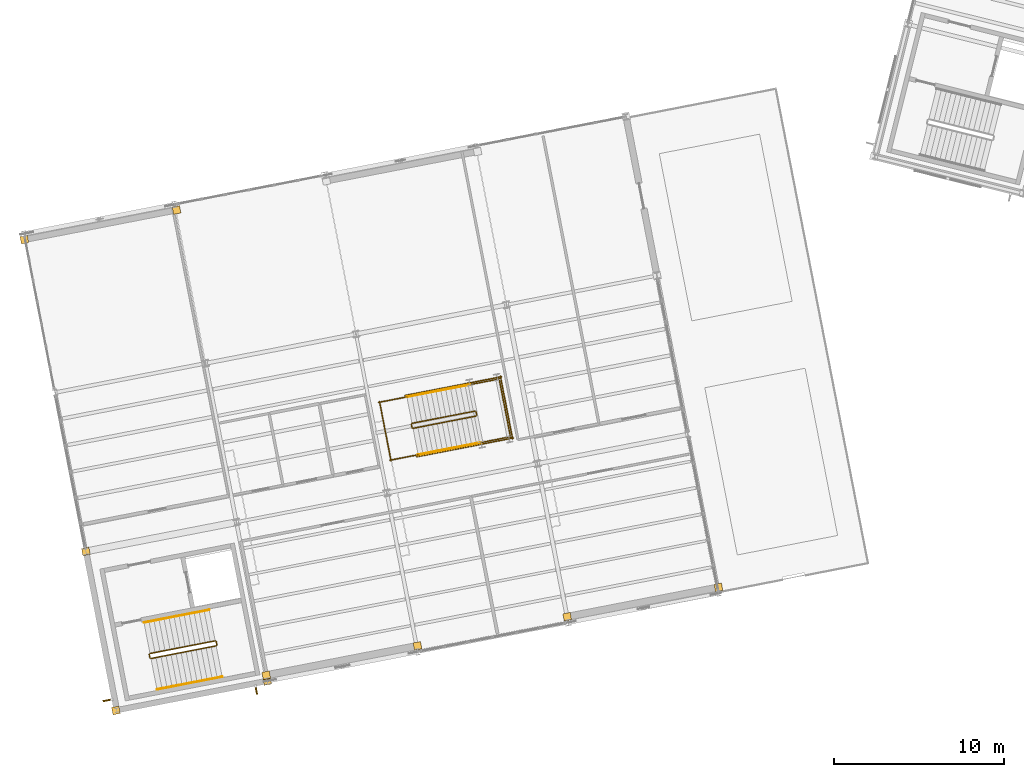
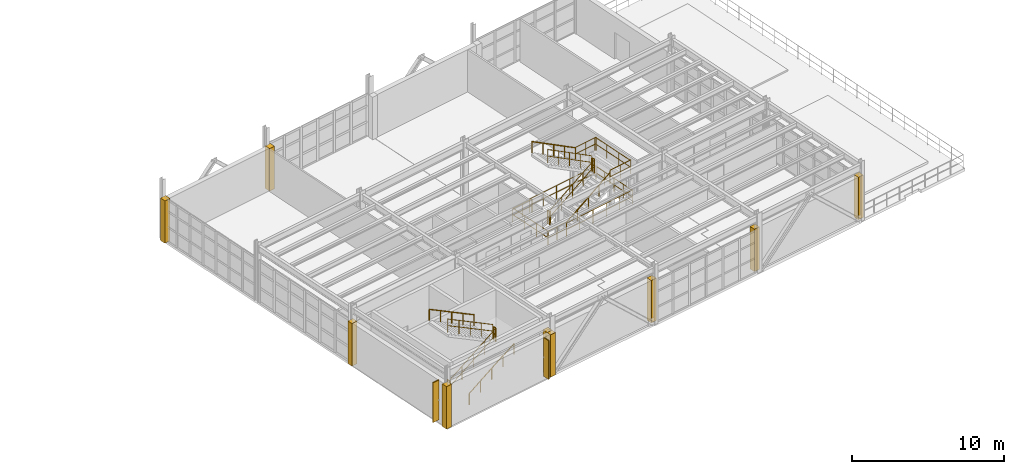
# One storey, part 101 of 109: 21 railings, 9 coverings, 2 shading devices.
"""IFC4 building model written with IfcOpenShell, lengths in metres."""

from ifc_helpers import new_model, si_unit, direction, frame, origin, origin_2d, place, context, subcontext, project, spatial, rectangle, circle, extrude, material, layer, layer_set, type_object, element, save


model = new_model("IFC4")

# Units and contexts
model_context = context("Model", 3, precision=1e-05, world=origin(), true_north=direction((0.0, 1.0)))
body_context = subcontext(model_context, "Body", "Model", "MODEL_VIEW")
ifc_project = project(units=[si_unit("LENGTHUNIT", "METRE"), si_unit("AREAUNIT", "SQUARE_METRE"), si_unit("VOLUMEUNIT", "CUBIC_METRE"), si_unit("PLANEANGLEUNIT", "RADIAN"), si_unit("MASSUNIT", "GRAM", prefix="KILO")], contexts=[model_context])

# Site, building, storey
site_placement = place(None, origin())
site = spatial("IfcSite", under=ifc_project, at=site_placement, CompositionType="ELEMENT")
building_placement = place(site_placement, origin())
building = spatial("IfcBuilding", under=site, at=building_placement, Name="Vireo Bluff Cable Station", CompositionType="ELEMENT")
storey_placement = place(building_placement, frame((0.0, 0.0, 4.800048828125)))
storey = spatial("IfcBuildingStorey", under=building, at=storey_placement, Name="L01", CompositionType="ELEMENT", Elevation=4.800048828125)

# Coverings
ifc_material_1 = material(Name="Precast concrete f'c 45 MPa", Category="concrete")
ifc_layer = layer(ifc_material_1, 0.0400390625, Name="Precast concrete f'c 45 MPa")
ifc_layer_set = layer_set([ifc_layer], Name="Precast concrete f'c 45 MPa")
covering_type = type_object("IfcCoveringType", Name="COL-CLOSURE-WRAP", PredefinedType="CLADDING", material=ifc_layer_set)
for number, where, z_axis, x_axis, name in (
    (1, (44.82373046875, 12.712646484375, 0.0), (0.0, 0.0, 1.0), (0.981627183448, 0.190808995377, 0.0), "V5 L01 column pocket closure"),
    (2, (35.946044921875, 10.98681640625, 0.0), (0.0, 0.0, 1.0), (0.981627183448, 0.190808995377, 0.0), "V5 L01 column pocket closure"),
    (3, (27.153076171875, 9.27783203125, 0.0), (0.0, 0.0, 1.0), (0.981627183448, 0.190808995377, 0.0), "V5 L01 column pocket closure"),
    (4, (18.276611328125, 7.552490234375, 0.0), (0.0, 0.0, 1.0), (0.981627183448, 0.190808995377, 0.0), "V5 L01 column pocket closure"),
    (5, (18.327880859375, 7.216064453125, 0.0), (0.0, 0.0, 1.0), (0.981627183448, 0.190808995377, 0.0), "V5 L01 column pocket closure"),
    (6, (9.450439453125, 5.490478515625, 0.0), (0.0, 0.0, 1.0), (0.981627183448, 0.190808995377, 0.0), "V5 L01 column pocket closure"),
    (7, (7.687744140625, 14.823486328125, 0.0), (0.0, 0.0, 1.0), (0.981627183448, 0.190808995377, 0.0), "V5 L01 column pocket closure"),
    (8, (4.07666015625, 33.1328125, 0.0), (0.0, 0.0, 1.0), (0.981627183448, 0.190808995377, 0.0), "V5 L01 column pocket closure"),
    (9, (13.010009765625, 34.869384765625, 0.0), (0.0, 0.0, 1.0), (0.981627183448, 0.190808995377, 0.0), "V5 L01 column pocket closure"),
):
    element("IfcCovering", number, at=place(storey_placement, frame(where, z_axis=z_axis, x_axis=x_axis)), inside=storey, type_object=covering_type, Name=name, PredefinedType="CLADDING", context=body_context, shape_type="SweptSolid", body=[
        extrude(rectangle(XDim=0.43994140625, YDim=0.43994140625, at=origin_2d()), origin(), (0.0, 0.0, 1.0), 3.39990234375),
    ])

# Shading devices
ifc_material_2 = material(Name="Extruded Terracotta Solar Fin", Category="masonry")
shading_device_type_1 = type_object("IfcShadingDeviceType", Name="SOLARFIN-480X3100", PredefinedType="SHUTTER", material=ifc_material_2)
shading_device_1_placement = place(storey_placement, frame((17.6884765625, 6.67919921875, 0.2998046875), z_axis=(0.0, 0.0, 1.0), x_axis=(-0.981627178822, -0.190809019174, 0.0)))
element("IfcShadingDevice", 10, at=shading_device_1_placement, inside=storey, type_object=shading_device_type_1, Name="V5 L01 solar brise-soleil fin 34", PredefinedType="SHUTTER", context=body_context, shape_type="SweptSolid", body=[
    extrude(rectangle(XDim=0.080078125, YDim=0.47998046875, at=origin_2d()), origin(), (0.0, 0.0, 1.0), 3.10009765625),
])
shading_device_type_2 = type_object("IfcShadingDeviceType", Name="SOLARFIN-520X3200", PredefinedType="SHUTTER", material=ifc_material_2)
shading_device_2_placement = place(storey_placement, frame((8.9482421875, 6.08544921875, 0.25), z_axis=(0.0, 0.0, 1.0), x_axis=(-0.19080900163, 0.981627182232, 0.0)))
element("IfcShadingDevice", 11, at=shading_device_2_placement, inside=storey, type_object=shading_device_type_2, Name="V5 L01 solar brise-soleil fin 35", PredefinedType="SHUTTER", context=body_context, shape_type="SweptSolid", body=[
    extrude(rectangle(XDim=0.080078125, YDim=0.52001953125, at=origin_2d()), origin(), (0.0, 0.0, 1.0), 3.199951171875),
])

# Railings
ifc_material_3 = material(Name="Stainless Steel 316", Category="steel")
railing_type_1 = type_object("IfcRailingType", Name="STAIR-GUARD-1100", PredefinedType="GUARDRAIL", material=ifc_material_3)
railing_1_placement = place(storey_placement, frame((11.507080078125, 8.538818359375, 0.17138671875)))
element("IfcRailing", 12, at=railing_1_placement, inside=storey, type_object=railing_type_1, Name="L01 ST-05 stair guard 1", PredefinedType="GUARDRAIL", context=body_context, shape_type="SweptSolid", body=[
    extrude(circle(Radius=0.02392578125, at=origin_2d()), frame((0.0, 0.0, 1.076171875), z_axis=(0.852298186376, 0.165665765708, 0.49612766056), x_axis=(-0.190804312824, 0.981628093632, 0.0)), (0.0, 0.0, 1.0), 4.49169921875),
    extrude(circle(Radius=0.02392578125, at=origin_2d()), frame((0.0, 0.0, 0.550048828125), z_axis=(0.852298186376, 0.165665765708, 0.49612766056), x_axis=(-0.190804312824, 0.981628093632, 0.0)), (0.0, 0.0, 1.0), 4.49169921875),
    extrude(circle(Radius=0.02099609375, at=origin_2d()), origin(), (0.0, 0.0, 1.0), 1.052001953125),
    extrude(circle(Radius=0.02099609375, at=origin_2d()), frame((0.95703125, 0.18603515625, 0.55712890625)), (0.0, 0.0, 1.0), 1.052001953125),
    extrude(circle(Radius=0.02099609375, at=origin_2d()), frame((1.9140625, 0.3720703125, 1.1142578125)), (0.0, 0.0, 1.0), 1.052001953125),
    extrude(circle(Radius=0.02099609375, at=origin_2d()), frame((2.871337890625, 0.55810546875, 1.67138671875)), (0.0, 0.0, 1.0), 1.052001953125),
    extrude(circle(Radius=0.02099609375, at=origin_2d()), frame((3.828369140625, 0.744140625, 2.228515625)), (0.0, 0.0, 1.0), 1.052001953125),
])
railing_2_placement = place(storey_placement, frame((15.375, 9.341552734375, 2.39990234375)))
element("IfcRailing", 13, at=railing_2_placement, inside=storey, type_object=railing_type_1, Name="L01 ST-05 stair guard 2", PredefinedType="GUARDRAIL", context=body_context, shape_type="SweptSolid", body=[
    extrude(circle(Radius=0.02392578125, at=origin_2d()), frame((0.0, 0.0, 1.076171875), z_axis=(-0.191653766286, 0.981462599322, 0.0), x_axis=(-0.981462599322, -0.191653766286, 0.0)), (0.0, 0.0, 1.0), 0.199951171875),
    extrude(circle(Radius=0.02392578125, at=origin_2d()), frame((0.0, 0.0, 0.550048828125), z_axis=(-0.191653766286, 0.981462599322, 0.0), x_axis=(-0.981462599322, -0.191653766286, 0.0)), (0.0, 0.0, 1.0), 0.199951171875),
    extrude(circle(Radius=0.02099609375, at=origin_2d()), origin(), (0.0, 0.0, 1.0), 1.052001953125),
    extrude(circle(Radius=0.02099609375, at=origin_2d()), frame((-0.038330078125, 0.1962890625, 0.0)), (0.0, 0.0, 1.0), 1.052001953125),
])
railing_3_placement = place(storey_placement, frame((15.278076171875, 9.577392578125, 2.5712890625)))
element("IfcRailing", 14, at=railing_3_placement, inside=storey, type_object=railing_type_1, Name="L01 ST-05 stair guard 3", PredefinedType="GUARDRAIL", context=body_context, shape_type="SweptSolid", body=[
    extrude(circle(Radius=0.02392578125, at=origin_2d()), frame((0.0, 0.0, 1.076171875), z_axis=(-0.852275203253, -0.165661298356, 0.496168632772), x_axis=(0.190804312824, -0.981628093632, 0.0)), (0.0, 0.0, 1.0), 4.491943359375),
    extrude(circle(Radius=0.02392578125, at=origin_2d()), frame((0.0, 0.0, 0.550048828125), z_axis=(-0.852275203253, -0.165661298356, 0.496168632772), x_axis=(0.190804312824, -0.981628093632, 0.0)), (0.0, 0.0, 1.0), 4.491943359375),
    extrude(circle(Radius=0.02099609375, at=origin_2d()), origin(), (0.0, 0.0, 1.0), 1.052001953125),
    extrude(circle(Radius=0.02099609375, at=origin_2d()), frame((-0.95703125, -0.18603515625, 0.55712890625)), (0.0, 0.0, 1.0), 1.052001953125),
    extrude(circle(Radius=0.02099609375, at=origin_2d()), frame((-1.9140625, -0.3720703125, 1.1142578125)), (0.0, 0.0, 1.0), 1.052001953125),
    extrude(circle(Radius=0.02099609375, at=origin_2d()), frame((-2.871337890625, -0.55810546875, 1.671630859375)), (0.0, 0.0, 1.0), 1.052001953125),
    extrude(circle(Radius=0.02099609375, at=origin_2d()), frame((-3.828369140625, -0.744140625, 2.228759765625)), (0.0, 0.0, 1.0), 1.052001953125),
])
railing_4_placement = place(storey_placement, frame((11.448486328125, 8.578369140625, 0.0)))
element("IfcRailing", 15, at=railing_4_placement, inside=storey, type_object=railing_type_1, Name="L01 ST-05 stair guard 4", PredefinedType="GUARDRAIL", context=body_context, shape_type="SweptSolid", body=[
    extrude(circle(Radius=0.02392578125, at=origin_2d()), frame((0.0, 0.0, 1.076171875), z_axis=(-0.191653766286, 0.981462599322, 0.0), x_axis=(-0.981462599322, -0.191653766286, 0.0)), (0.0, 0.0, 1.0), 0.199951171875),
    extrude(circle(Radius=0.02392578125, at=origin_2d()), frame((0.0, 0.0, 0.550048828125), z_axis=(-0.191653766286, 0.981462599322, 0.0), x_axis=(-0.981462599322, -0.191653766286, 0.0)), (0.0, 0.0, 1.0), 0.199951171875),
    extrude(circle(Radius=0.02099609375, at=origin_2d()), origin(), (0.0, 0.0, 1.0), 1.052001953125),
    extrude(circle(Radius=0.02099609375, at=origin_2d()), frame((-0.038330078125, 0.1962890625, 0.0)), (0.0, 0.0, 1.0), 1.052001953125),
])
railing_5_placement = place(storey_placement, frame((26.89111328125, 22.052490234375, 0.17138671875)))
element("IfcRailing", 16, at=railing_5_placement, inside=storey, type_object=railing_type_1, Name="L01 ST-07 stair guard 1", PredefinedType="GUARDRAIL", context=body_context, shape_type="SweptSolid", body=[
    extrude(circle(Radius=0.02392578125, at=origin_2d()), frame((0.0, 0.0, 1.076171875), z_axis=(0.845023956722, 0.164288534138, 0.508865198374), x_axis=(-0.190845392396, 0.981620107884, 0.0)), (0.0, 0.0, 1.0), 4.37939453125),
    extrude(circle(Radius=0.02392578125, at=origin_2d()), frame((0.0, 0.0, 0.550048828125), z_axis=(0.845023956722, 0.164288534138, 0.508865198374), x_axis=(-0.190845392396, 0.981620107884, 0.0)), (0.0, 0.0, 1.0), 4.37939453125),
    extrude(circle(Radius=0.02099609375, at=origin_2d()), origin(), (0.0, 0.0, 1.0), 1.052001953125),
    extrude(circle(Radius=0.02099609375, at=origin_2d()), frame((0.92529296875, 0.179931640625, 0.55712890625)), (0.0, 0.0, 1.0), 1.052001953125),
    extrude(circle(Radius=0.02099609375, at=origin_2d()), frame((1.850341796875, 0.35986328125, 1.1142578125)), (0.0, 0.0, 1.0), 1.052001953125),
    extrude(circle(Radius=0.02099609375, at=origin_2d()), frame((2.775390625, 0.53955078125, 1.67138671875)), (0.0, 0.0, 1.0), 1.052001953125),
    extrude(circle(Radius=0.02099609375, at=origin_2d()), frame((3.70068359375, 0.719482421875, 2.228515625)), (0.0, 0.0, 1.0), 1.052001953125),
])
railing_6_placement = place(storey_placement, frame((30.63134765625, 22.83056640625, 2.39990234375)))
element("IfcRailing", 17, at=railing_6_placement, inside=storey, type_object=railing_type_1, Name="L01 ST-07 stair guard 2", PredefinedType="GUARDRAIL", context=body_context, shape_type="SweptSolid", body=[
    extrude(circle(Radius=0.02392578125, at=origin_2d()), frame((0.0, 0.0, 1.076171875), z_axis=(-0.190477468355, 0.981691567677, 0.0), x_axis=(-0.981691567677, -0.190477468355, 0.0)), (0.0, 0.0, 1.0), 0.199951171875),
    extrude(circle(Radius=0.02392578125, at=origin_2d()), frame((0.0, 0.0, 0.550048828125), z_axis=(-0.190477468355, 0.981691567677, 0.0), x_axis=(-0.981691567677, -0.190477468355, 0.0)), (0.0, 0.0, 1.0), 0.199951171875),
    extrude(circle(Radius=0.02099609375, at=origin_2d()), origin(), (0.0, 0.0, 1.0), 1.052001953125),
    extrude(circle(Radius=0.02099609375, at=origin_2d()), frame((-0.0380859375, 0.1962890625, 0.0)), (0.0, 0.0, 1.0), 1.052001953125),
])
railing_7_placement = place(storey_placement, frame((30.893310546875, 21.220947265625, 2.39990234375)))
element("IfcRailing", 18, at=railing_7_placement, inside=storey, type_object=railing_type_1, Name="L01 ST-07 stair guard 3", PredefinedType="GUARDRAIL", context=body_context, shape_type="SweptSolid", body=[
    extrude(circle(Radius=0.02392578125, at=origin_2d()), frame((0.0, 0.0, 1.076171875), z_axis=(0.981625270037, 0.19081883876, 0.0), x_axis=(-0.19081883876, 0.981625270037, 0.0)), (0.0, 0.0, 1.0), 1.800048828125),
    extrude(circle(Radius=0.02392578125, at=origin_2d()), frame((0.0, 0.0, 0.550048828125), z_axis=(0.981625270037, 0.19081883876, 0.0), x_axis=(-0.19081883876, 0.981625270037, 0.0)), (0.0, 0.0, 1.0), 1.800048828125),
    extrude(circle(Radius=0.02099609375, at=origin_2d()), origin(), (0.0, 0.0, 1.0), 1.052001953125),
    extrude(circle(Radius=0.02099609375, at=origin_2d()), frame((0.883544921875, 0.171875, 0.0)), (0.0, 0.0, 1.0), 1.052001953125),
    extrude(circle(Radius=0.02099609375, at=origin_2d()), frame((1.76708984375, 0.343505859375, 0.0)), (0.0, 0.0, 1.0), 1.052001953125),
])
railing_8_placement = place(storey_placement, frame((30.233154296875, 24.617431640625, 2.39990234375)))
element("IfcRailing", 19, at=railing_8_placement, inside=storey, type_object=railing_type_1, Name="L01 ST-07 stair guard 4", PredefinedType="GUARDRAIL", context=body_context, shape_type="SweptSolid", body=[
    extrude(circle(Radius=0.02392578125, at=origin_2d()), frame((0.0, 0.0, 1.076171875), z_axis=(0.981645732966, 0.190713541599, 0.0), x_axis=(-0.190713541599, 0.981645732966, 0.0)), (0.0, 0.0, 1.0), 1.7998046875),
    extrude(circle(Radius=0.02392578125, at=origin_2d()), frame((0.0, 0.0, 0.550048828125), z_axis=(0.981645732966, 0.190713541599, 0.0), x_axis=(-0.190713541599, 0.981645732966, 0.0)), (0.0, 0.0, 1.0), 1.7998046875),
    extrude(circle(Radius=0.02099609375, at=origin_2d()), origin(), (0.0, 0.0, 1.0), 1.052001953125),
    extrude(circle(Radius=0.02099609375, at=origin_2d()), frame((0.88330078125, 0.171630859375, 0.0)), (0.0, 0.0, 1.0), 1.052001953125),
    extrude(circle(Radius=0.02099609375, at=origin_2d()), frame((1.766845703125, 0.34326171875, 0.0)), (0.0, 0.0, 1.0), 1.052001953125),
])
railing_9_placement = place(storey_placement, frame((32.620849609375, 21.505615234375, 2.39990234375)))
element("IfcRailing", 20, at=railing_9_placement, inside=storey, type_object=railing_type_1, Name="L01 ST-07 stair guard 5", PredefinedType="GUARDRAIL", context=body_context, shape_type="SweptSolid", body=[
    extrude(circle(Radius=0.02392578125, at=origin_2d()), frame((0.0, 0.0, 1.076171875), z_axis=(-0.190851303741, 0.981618958588, 0.0), x_axis=(-0.981618958588, -0.190851303741, 0.0)), (0.0, 0.0, 1.0), 3.56005859375),
    extrude(circle(Radius=0.02392578125, at=origin_2d()), frame((0.0, 0.0, 0.550048828125), z_axis=(-0.190851303741, 0.981618958588, 0.0), x_axis=(-0.981618958588, -0.190851303741, 0.0)), (0.0, 0.0, 1.0), 3.56005859375),
    extrude(circle(Radius=0.02099609375, at=origin_2d()), origin(), (0.0, 0.0, 1.0), 1.052001953125),
    extrude(circle(Radius=0.02099609375, at=origin_2d()), frame((-0.2265625, 1.164794921875, 0.0)), (0.0, 0.0, 1.0), 1.052001953125),
    extrude(circle(Radius=0.02099609375, at=origin_2d()), frame((-0.452880859375, 2.329833984375, 0.0)), (0.0, 0.0, 1.0), 1.052001953125),
    extrude(circle(Radius=0.02099609375, at=origin_2d()), frame((-0.679443359375, 3.49462890625, 0.0)), (0.0, 0.0, 1.0), 1.052001953125),
])
railing_10_placement = place(storey_placement, frame((30.53466796875, 23.06640625, 2.5712890625)))
element("IfcRailing", 21, at=railing_10_placement, inside=storey, type_object=railing_type_1, Name="L01 ST-07 stair guard 6", PredefinedType="GUARDRAIL", context=body_context, shape_type="SweptSolid", body=[
    extrude(circle(Radius=0.02392578125, at=origin_2d()), frame((0.0, 0.0, 1.076171875), z_axis=(-0.844999984726, -0.164283873531, 0.508906508811), x_axis=(0.190845392396, -0.981620107884, 0.0)), (0.0, 0.0, 1.0), 4.37939453125),
    extrude(circle(Radius=0.02392578125, at=origin_2d()), frame((0.0, 0.0, 0.550048828125), z_axis=(-0.844999984726, -0.164283873531, 0.508906508811), x_axis=(0.190845392396, -0.981620107884, 0.0)), (0.0, 0.0, 1.0), 4.37939453125),
    extrude(circle(Radius=0.02099609375, at=origin_2d()), origin(), (0.0, 0.0, 1.0), 1.052001953125),
    extrude(circle(Radius=0.02099609375, at=origin_2d()), frame((-0.92529296875, -0.179931640625, 0.55712890625)), (0.0, 0.0, 1.0), 1.052001953125),
    extrude(circle(Radius=0.02099609375, at=origin_2d()), frame((-1.850341796875, -0.35986328125, 1.1142578125)), (0.0, 0.0, 1.0), 1.052001953125),
    extrude(circle(Radius=0.02099609375, at=origin_2d()), frame((-2.775390625, -0.53955078125, 1.671630859375)), (0.0, 0.0, 1.0), 1.052001953125),
    extrude(circle(Radius=0.02099609375, at=origin_2d()), frame((-3.70068359375, -0.719482421875, 2.228759765625)), (0.0, 0.0, 1.0), 1.052001953125),
])
railing_11_placement = place(storey_placement, frame((26.83251953125, 22.092041015625, 0.0)))
element("IfcRailing", 22, at=railing_11_placement, inside=storey, type_object=railing_type_1, Name="L01 ST-07 stair guard 7", PredefinedType="GUARDRAIL", context=body_context, shape_type="SweptSolid", body=[
    extrude(circle(Radius=0.02392578125, at=origin_2d()), frame((0.0, 0.0, 1.076171875), z_axis=(-0.190477468355, 0.981691567677, 0.0), x_axis=(-0.981691567677, -0.190477468355, 0.0)), (0.0, 0.0, 1.0), 0.199951171875),
    extrude(circle(Radius=0.02392578125, at=origin_2d()), frame((0.0, 0.0, 0.550048828125), z_axis=(-0.190477468355, 0.981691567677, 0.0), x_axis=(-0.981691567677, -0.190477468355, 0.0)), (0.0, 0.0, 1.0), 0.199951171875),
    extrude(circle(Radius=0.02099609375, at=origin_2d()), origin(), (0.0, 0.0, 1.0), 1.052001953125),
    extrude(circle(Radius=0.02099609375, at=origin_2d()), frame((-0.0380859375, 0.1962890625, 0.0)), (0.0, 0.0, 1.0), 1.052001953125),
])
for number, where, name in (
    (23, (25.54345703125, 20.180908203125, 0.0), "L01 ST-07 stair guard 8"),
    (24, (24.88330078125, 23.577392578125, 0.0), "L01 ST-07 stair guard 9"),
):
    element("IfcRailing", number, at=place(storey_placement, frame(where)), inside=storey, type_object=railing_type_1, Name=name, PredefinedType="GUARDRAIL", context=body_context, shape_type="SweptSolid", body=[
        extrude(circle(Radius=0.02392578125, at=origin_2d()), frame((0.0, 0.0, 1.076171875), z_axis=(0.981628244641, 0.190803535931, 0.0), x_axis=(-0.190803535931, 0.981628244641, 0.0)), (0.0, 0.0, 1.0), 1.679931640625),
        extrude(circle(Radius=0.02392578125, at=origin_2d()), frame((0.0, 0.0, 0.550048828125), z_axis=(0.981628244641, 0.190803535931, 0.0), x_axis=(-0.190803535931, 0.981628244641, 0.0)), (0.0, 0.0, 1.0), 1.679931640625),
        extrude(circle(Radius=0.02099609375, at=origin_2d()), origin(), (0.0, 0.0, 1.0), 1.052001953125),
        extrude(circle(Radius=0.02099609375, at=origin_2d()), frame((0.82470703125, 0.16015625, 0.0)), (0.0, 0.0, 1.0), 1.052001953125),
        extrude(circle(Radius=0.02099609375, at=origin_2d()), frame((1.649169921875, 0.320556640625, 0.0)), (0.0, 0.0, 1.0), 1.052001953125),
    ])
railing_12_placement = place(storey_placement, frame((25.60205078125, 20.141357421875, 0.0)))
element("IfcRailing", 25, at=railing_12_placement, inside=storey, type_object=railing_type_1, Name="L01 ST-07 stair guard 10", PredefinedType="GUARDRAIL", context=body_context, shape_type="SweptSolid", body=[
    extrude(circle(Radius=0.02392578125, at=origin_2d()), frame((0.0, 0.0, 1.076171875), z_axis=(-0.190785222784, 0.981631804073, 0.0), x_axis=(-0.981631804073, -0.190785222784, 0.0)), (0.0, 0.0, 1.0), 3.56005859375),
    extrude(circle(Radius=0.02392578125, at=origin_2d()), frame((0.0, 0.0, 0.550048828125), z_axis=(-0.190785222784, 0.981631804073, 0.0), x_axis=(-0.981631804073, -0.190785222784, 0.0)), (0.0, 0.0, 1.0), 3.56005859375),
    extrude(circle(Radius=0.02099609375, at=origin_2d()), origin(), (0.0, 0.0, 1.0), 1.052001953125),
    extrude(circle(Radius=0.02099609375, at=origin_2d()), frame((-0.226318359375, 1.164794921875, 0.0)), (0.0, 0.0, 1.0), 1.052001953125),
    extrude(circle(Radius=0.02099609375, at=origin_2d()), frame((-0.452880859375, 2.329833984375, 0.0)), (0.0, 0.0, 1.0), 1.052001953125),
    extrude(circle(Radius=0.02099609375, at=origin_2d()), frame((-0.67919921875, 3.49462890625, 0.0)), (0.0, 0.0, 1.0), 1.052001953125),
])
railing_13_placement = place(storey_placement, frame((27.113525390625, 20.38427734375, 0.0)))
element("IfcRailing", 26, at=railing_13_placement, inside=storey, type_object=railing_type_1, Name="L01 ST-07 stair guard 11", PredefinedType="GUARDRAIL", context=body_context, shape_type="SweptSolid", body=[
    extrude(circle(Radius=0.02392578125, at=origin_2d()), frame((0.0, 0.0, 1.076171875), z_axis=(0.981624196942, 0.190824358974, 0.0), x_axis=(-0.190824358974, 0.981624196942, 0.0)), (0.0, 0.0, 1.0), 5.77001953125),
    extrude(circle(Radius=0.02392578125, at=origin_2d()), frame((0.0, 0.0, 0.550048828125), z_axis=(0.981624196942, 0.190824358974, 0.0), x_axis=(-0.190824358974, 0.981624196942, 0.0)), (0.0, 0.0, 1.0), 5.77001953125),
    extrude(circle(Radius=0.02099609375, at=origin_2d()), origin(), (0.0, 0.0, 1.0), 1.052001953125),
    extrude(circle(Radius=0.02099609375, at=origin_2d()), frame((1.1328125, 0.22021484375, 0.0)), (0.0, 0.0, 1.0), 1.052001953125),
    extrude(circle(Radius=0.02099609375, at=origin_2d()), frame((2.265625, 0.4404296875, 0.0)), (0.0, 0.0, 1.0), 1.052001953125),
    extrude(circle(Radius=0.02099609375, at=origin_2d()), frame((3.3984375, 0.66064453125, 0.0)), (0.0, 0.0, 1.0), 1.052001953125),
    extrude(circle(Radius=0.02099609375, at=origin_2d()), frame((4.53125, 0.880859375, 0.0)), (0.0, 0.0, 1.0), 1.052001953125),
    extrude(circle(Radius=0.02099609375, at=origin_2d()), frame((5.6640625, 1.10107421875, 0.0)), (0.0, 0.0, 1.0), 1.052001953125),
])
railing_14_placement = place(storey_placement, frame((26.415283203125, 23.97705078125, 0.0)))
element("IfcRailing", 27, at=railing_14_placement, inside=storey, type_object=railing_type_1, Name="L01 ST-07 stair guard 12", PredefinedType="GUARDRAIL", context=body_context, shape_type="SweptSolid", body=[
    extrude(circle(Radius=0.02392578125, at=origin_2d()), frame((0.0, 0.0, 1.076171875), z_axis=(0.981622656122, 0.190832284974, 0.0), x_axis=(-0.190832284974, 0.981622656122, 0.0)), (0.0, 0.0, 1.0), 5.769775390625),
    extrude(circle(Radius=0.02392578125, at=origin_2d()), frame((0.0, 0.0, 0.550048828125), z_axis=(0.981622656122, 0.190832284974, 0.0), x_axis=(-0.190832284974, 0.981622656122, 0.0)), (0.0, 0.0, 1.0), 5.769775390625),
    extrude(circle(Radius=0.02099609375, at=origin_2d()), origin(), (0.0, 0.0, 1.0), 1.052001953125),
    extrude(circle(Radius=0.02099609375, at=origin_2d()), frame((1.1328125, 0.22021484375, 0.0)), (0.0, 0.0, 1.0), 1.052001953125),
    extrude(circle(Radius=0.02099609375, at=origin_2d()), frame((2.265625, 0.4404296875, 0.0)), (0.0, 0.0, 1.0), 1.052001953125),
    extrude(circle(Radius=0.02099609375, at=origin_2d()), frame((3.398193359375, 0.66064453125, 0.0)), (0.0, 0.0, 1.0), 1.052001953125),
    extrude(circle(Radius=0.02099609375, at=origin_2d()), frame((4.531005859375, 0.880859375, 0.0)), (0.0, 0.0, 1.0), 1.052001953125),
    extrude(circle(Radius=0.02099609375, at=origin_2d()), frame((5.663818359375, 1.10107421875, 0.0)), (0.0, 0.0, 1.0), 1.052001953125),
])
railing_15_placement = place(storey_placement, frame((32.738037109375, 21.4267578125, 0.0)))
element("IfcRailing", 28, at=railing_15_placement, inside=storey, type_object=railing_type_1, Name="L01 ST-07 stair guard 13", PredefinedType="GUARDRAIL", context=body_context, shape_type="SweptSolid", body=[
    extrude(circle(Radius=0.02392578125, at=origin_2d()), frame((0.0, 0.0, 1.076171875), z_axis=(-0.190831424652, 0.981622823372, 0.0), x_axis=(-0.981622823372, -0.190831424652, 0.0)), (0.0, 0.0, 1.0), 3.760009765625),
    extrude(circle(Radius=0.02392578125, at=origin_2d()), frame((0.0, 0.0, 0.550048828125), z_axis=(-0.190831424652, 0.981622823372, 0.0), x_axis=(-0.981622823372, -0.190831424652, 0.0)), (0.0, 0.0, 1.0), 3.760009765625),
    extrude(circle(Radius=0.02099609375, at=origin_2d()), origin(), (0.0, 0.0, 1.0), 1.052001953125),
    extrude(circle(Radius=0.02099609375, at=origin_2d()), frame((-0.179443359375, 0.9228515625, 0.0)), (0.0, 0.0, 1.0), 1.052001953125),
    extrude(circle(Radius=0.02099609375, at=origin_2d()), frame((-0.35888671875, 1.845458984375, 0.0)), (0.0, 0.0, 1.0), 1.052001953125),
    extrude(circle(Radius=0.02099609375, at=origin_2d()), frame((-0.5380859375, 2.76806640625, 0.0)), (0.0, 0.0, 1.0), 1.052001953125),
    extrude(circle(Radius=0.02099609375, at=origin_2d()), frame((-0.717529296875, 3.69091796875, 0.0)), (0.0, 0.0, 1.0), 1.052001953125),
])
railing_type_2 = type_object("IfcRailingType", Name="STAIR-HANDRAIL-900", PredefinedType="HANDRAIL", material=ifc_material_3)
railing_16_placement = place(storey_placement, frame((11.860107421875, 6.722900390625, 0.17138671875)))
element("IfcRailing", 29, at=railing_16_placement, inside=storey, type_object=railing_type_2, Name="L01 ST-05 stair handrail 1", PredefinedType="HANDRAIL", context=body_context, shape_type="SweptSolid", body=[
    extrude(circle(Radius=0.02392578125, at=origin_2d()), frame((0.0, 0.0, 0.8759765625), z_axis=(0.852298186376, 0.165665765708, 0.49612766056), x_axis=(-0.190804312824, 0.981628093632, 0.0)), (0.0, 0.0, 1.0), 4.49169921875),
    extrude(circle(Radius=0.02099609375, at=origin_2d()), origin(), (0.0, 0.0, 1.0), 0.851806640625),
    extrude(circle(Radius=0.02099609375, at=origin_2d()), frame((0.95703125, 0.18603515625, 0.55712890625)), (0.0, 0.0, 1.0), 0.851806640625),
    extrude(circle(Radius=0.02099609375, at=origin_2d()), frame((1.9140625, 0.3720703125, 1.1142578125)), (0.0, 0.0, 1.0), 0.851806640625),
    extrude(circle(Radius=0.02099609375, at=origin_2d()), frame((2.871337890625, 0.55810546875, 1.67138671875)), (0.0, 0.0, 1.0), 0.851806640625),
    extrude(circle(Radius=0.02099609375, at=origin_2d()), frame((3.828369140625, 0.744140625, 2.228515625)), (0.0, 0.0, 1.0), 0.851806640625),
])
railing_17_placement = place(storey_placement, frame((14.925048828125, 11.3935546875, 2.5712890625)))
element("IfcRailing", 30, at=railing_17_placement, inside=storey, type_object=railing_type_2, Name="L01 ST-05 stair handrail 2", PredefinedType="HANDRAIL", context=body_context, shape_type="SweptSolid", body=[
    extrude(circle(Radius=0.02392578125, at=origin_2d()), frame((0.0, 0.0, 0.8759765625), z_axis=(-0.852260330369, -0.165668972383, 0.496191617088), x_axis=(0.19081603841, -0.981625814394, 0.0)), (0.0, 0.0, 1.0), 4.49169921875),
    extrude(circle(Radius=0.02099609375, at=origin_2d()), origin(), (0.0, 0.0, 1.0), 0.851806640625),
    extrude(circle(Radius=0.02099609375, at=origin_2d()), frame((-0.95703125, -0.18603515625, 0.55712890625)), (0.0, 0.0, 1.0), 0.851806640625),
    extrude(circle(Radius=0.02099609375, at=origin_2d()), frame((-1.9140625, -0.3720703125, 1.1142578125)), (0.0, 0.0, 1.0), 0.851806640625),
    extrude(circle(Radius=0.02099609375, at=origin_2d()), frame((-2.87109375, -0.55810546875, 1.671630859375)), (0.0, 0.0, 1.0), 0.851806640625),
    extrude(circle(Radius=0.02099609375, at=origin_2d()), frame((-3.828125, -0.744140625, 2.228759765625)), (0.0, 0.0, 1.0), 0.851806640625),
])
railing_18_placement = place(storey_placement, frame((27.192626953125, 20.50146484375, 0.17138671875)))
element("IfcRailing", 31, at=railing_18_placement, inside=storey, type_object=railing_type_2, Name="L01 ST-07 stair handrail 1", PredefinedType="HANDRAIL", context=body_context, shape_type="SweptSolid", body=[
    extrude(circle(Radius=0.02392578125, at=origin_2d()), frame((0.0, 0.0, 0.8759765625), z_axis=(0.845023956722, 0.164288534138, 0.508865198374), x_axis=(-0.190845392396, 0.981620107884, 0.0)), (0.0, 0.0, 1.0), 4.37939453125),
    extrude(circle(Radius=0.02099609375, at=origin_2d()), origin(), (0.0, 0.0, 1.0), 0.851806640625),
    extrude(circle(Radius=0.02099609375, at=origin_2d()), frame((0.92529296875, 0.179931640625, 0.55712890625)), (0.0, 0.0, 1.0), 0.851806640625),
    extrude(circle(Radius=0.02099609375, at=origin_2d()), frame((1.850341796875, 0.35986328125, 1.1142578125)), (0.0, 0.0, 1.0), 0.851806640625),
    extrude(circle(Radius=0.02099609375, at=origin_2d()), frame((2.775390625, 0.53955078125, 1.67138671875)), (0.0, 0.0, 1.0), 0.851806640625),
    extrude(circle(Radius=0.02099609375, at=origin_2d()), frame((3.70068359375, 0.719482421875, 2.228515625)), (0.0, 0.0, 1.0), 0.851806640625),
])
railing_19_placement = place(storey_placement, frame((30.233154296875, 24.617431640625, 2.5712890625)))
element("IfcRailing", 32, at=railing_19_placement, inside=storey, type_object=railing_type_2, Name="L01 ST-07 stair handrail 2", PredefinedType="HANDRAIL", context=body_context, shape_type="SweptSolid", body=[
    extrude(circle(Radius=0.02392578125, at=origin_2d()), frame((0.0, 0.0, 0.8759765625), z_axis=(-0.844999984726, -0.164283873531, 0.508906508811), x_axis=(0.190845392396, -0.981620107884, 0.0)), (0.0, 0.0, 1.0), 4.37939453125),
    extrude(circle(Radius=0.02099609375, at=origin_2d()), origin(), (0.0, 0.0, 1.0), 0.851806640625),
    extrude(circle(Radius=0.02099609375, at=origin_2d()), frame((-0.92529296875, -0.179931640625, 0.55712890625)), (0.0, 0.0, 1.0), 0.851806640625),
    extrude(circle(Radius=0.02099609375, at=origin_2d()), frame((-1.850341796875, -0.35986328125, 1.1142578125)), (0.0, 0.0, 1.0), 0.851806640625),
    extrude(circle(Radius=0.02099609375, at=origin_2d()), frame((-2.775390625, -0.53955078125, 1.671630859375)), (0.0, 0.0, 1.0), 0.851806640625),
    extrude(circle(Radius=0.02099609375, at=origin_2d()), frame((-3.70068359375, -0.719482421875, 2.228759765625)), (0.0, 0.0, 1.0), 0.851806640625),
])

save(model, "model.ifc")
